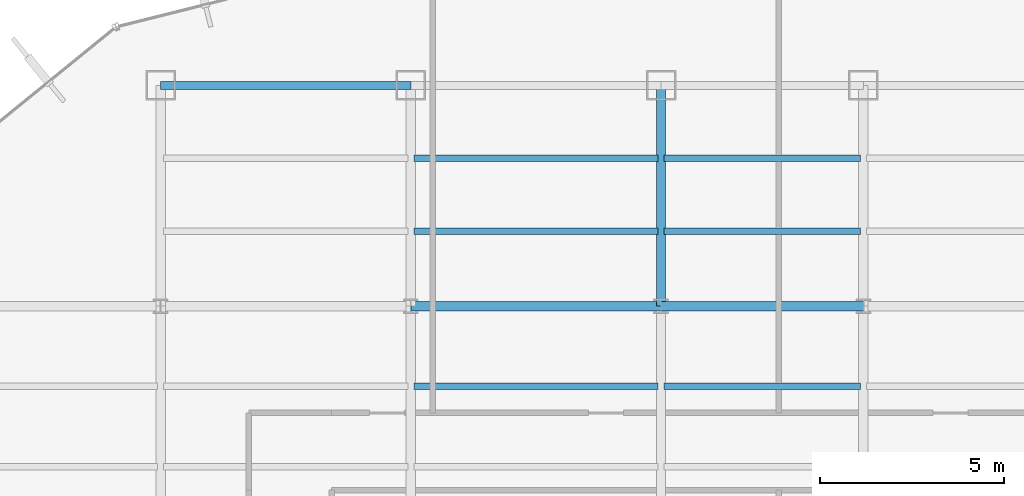
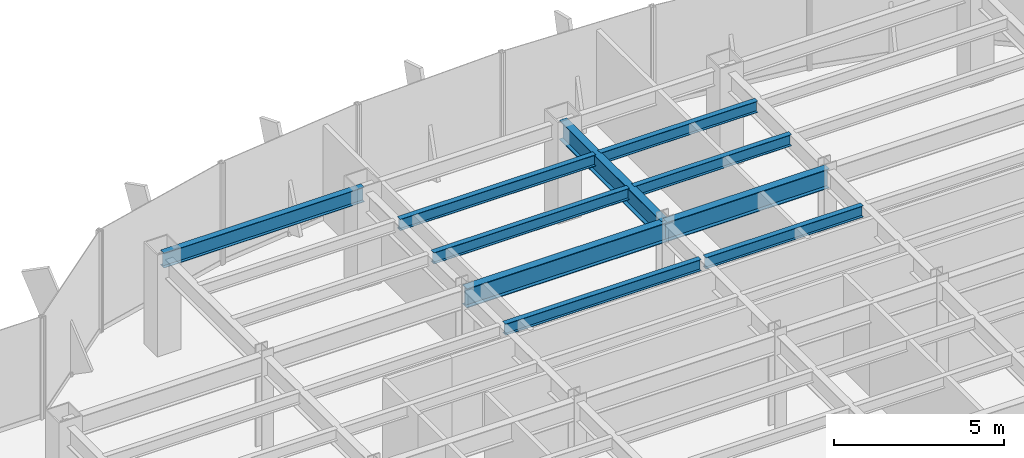
# One storey, part 15 of 26: 10 beams.
"""IFC4 building model written with IfcOpenShell, lengths in metres."""

from ifc_helpers import new_model, si_unit, derived_unit, direction, frame, origin, origin_2d, place, context, subcontext, project, spatial, i_section, extrude, source, transform, mapped, material, material_profile, profile_set, type_object, element, save


model = new_model("IFC4")

# Units and contexts
model_context = context("Model", 3, precision=1e-05, world=origin(), true_north=direction((0.0, 1.0)))
body_context = subcontext(model_context, "Body", "Model", "MODEL_VIEW")
ifc_project = project(units=[si_unit("LENGTHUNIT", "METRE"), si_unit("AREAUNIT", "SQUARE_METRE"), si_unit("VOLUMEUNIT", "CUBIC_METRE"), si_unit("PLANEANGLEUNIT", "RADIAN"), si_unit("MASSUNIT", "GRAM", prefix="KILO"), derived_unit("THERMALTRANSMITTANCEUNIT", [(si_unit("POWERUNIT", "WATT"), 1), (si_unit("LENGTHUNIT", "METRE"), -2), (si_unit("THERMODYNAMICTEMPERATUREUNIT", "KELVIN"), -1)])], contexts=[model_context])

# Site, building, storey
site_placement = place(None, origin())
site = spatial("IfcSite", under=ifc_project, at=site_placement, CompositionType="ELEMENT")
building_placement = place(site_placement, origin())
building = spatial("IfcBuilding", under=site, at=building_placement, Name="Skarnbrae Concourse Arena and Tower", CompositionType="ELEMENT")
storey_placement = place(building_placement, frame((0.0, 0.0, 128.800048828125)))
storey = spatial("IfcBuildingStorey", under=building, at=storey_placement, Name="L32", CompositionType="ELEMENT", Elevation=128.800048828125)

# Beams
ifc_material = material(Name="Steel CSA G40.21 350W", Category="steel")
ifc_material_profile_1 = material_profile(ifc_material, i_section(OverallWidth=0.256103515625, OverallDepth=0.693115234375, WebThickness=0.014404296875, FlangeThickness=0.023681640625, at=origin_2d()), Name="W690X170")
ifc_profile_set_1 = profile_set([ifc_material_profile_1], Name="Steel CSA G40.21 350W")
beam_type_1 = type_object("IfcBeamType", Name="BM-GIRD-W690X170", PredefinedType="BEAM", material=ifc_profile_set_1)
shared_shape_1 = source(origin(), body_context, "Body", "SweptSolid", [
    extrude(i_section(OverallWidth=0.256103515625, OverallDepth=0.693115234375, WebThickness=0.014404296875, FlangeThickness=0.023681640625, at=origin_2d()), origin(), (0.0, 0.0, 1.0), 6.800048828125),
])
beam_1_placement = place(storey_placement, frame((21.199951171875, 34.39990234375, 3.053466796875), z_axis=(1.0, 0.0, 0.0), x_axis=(0.0, 1.0, 0.0)))
element("IfcBeam", 1, at=beam_1_placement, inside=storey, type_object=beam_type_1, Name="L32 Primary E-W girder Y34.4-3", PredefinedType="BEAM", context=body_context, shape_type="MappedRepresentation", body=[
    mapped(shared_shape_1, transform((0.0, 0.0, 0.0))),
])
shared_shape_2 = source(origin(), body_context, "Body", "SweptSolid", [
    extrude(i_section(OverallWidth=0.256103515625, OverallDepth=0.693115234375, WebThickness=0.014404296875, FlangeThickness=0.023681640625, at=origin_2d()), origin(), (0.0, 0.0, 1.0), 5.5),
])
beam_2_placement = place(storey_placement, frame((28.0, 34.39990234375, 3.053466796875), z_axis=(1.0, 0.0, 0.0), x_axis=(0.0, 1.0, 0.0)))
element("IfcBeam", 2, at=beam_2_placement, inside=storey, type_object=beam_type_1, Name="L32 Primary E-W girder Y34.4-4", PredefinedType="BEAM", context=body_context, shape_type="MappedRepresentation", body=[
    mapped(shared_shape_2, transform((0.0, 0.0, 0.0))),
])
ifc_material_profile_2 = material_profile(ifc_material, i_section(OverallWidth=0.208984375, OverallDepth=0.532958984375, WebThickness=0.01025390625, FlangeThickness=0.015625, at=origin_2d()), Name="W530X92")
ifc_profile_set_2 = profile_set([ifc_material_profile_2], Name="Steel CSA G40.21 350W")
beam_type_2 = type_object("IfcBeamType", Name="BM-SPAN-W530X92", PredefinedType="SPANDREL", material=ifc_profile_set_2)
shared_shape_3 = source(origin(), body_context, "Body", "SweptSolid", [
    extrude(i_section(OverallWidth=0.208984375, OverallDepth=0.532958984375, WebThickness=0.01025390625, FlangeThickness=0.015625, at=origin_2d()), origin(), (0.0, 0.0, 1.0), 6.800048828125),
])
beam_3_placement = place(storey_placement, frame((14.39990234375, 40.39990234375, 3.133544921875), z_axis=(1.0, 0.0, 0.0), x_axis=(0.0, 1.0, 0.0)))
element("IfcBeam", 3, at=beam_3_placement, inside=storey, type_object=beam_type_2, Name="L32 Perimeter spandrel Y40.4-1", PredefinedType="SPANDREL", context=body_context, shape_type="MappedRepresentation", body=[
    mapped(shared_shape_3, transform((0.0, 0.0, 0.0))),
])
shared_shape_4 = source(origin(), body_context, "Body", "SweptSolid", [
    extrude(i_section(OverallWidth=0.256103515625, OverallDepth=0.693115234375, WebThickness=0.014404296875, FlangeThickness=0.023681640625, at=origin_2d()), origin(), (0.0, 0.0, 1.0), 6.0),
])
beam_4_placement = place(storey_placement, frame((28.0, 34.39990234375, 3.053466796875), z_axis=(0.0, 1.0, 0.0), x_axis=(-1.0, 0.0, 0.0)))
element("IfcBeam", 4, at=beam_4_placement, inside=storey, type_object=beam_type_1, Name="L32 Primary N-S girder X28.0-4", PredefinedType="BEAM", context=body_context, shape_type="MappedRepresentation", body=[
    mapped(shared_shape_4, transform((0.0, 0.0, 0.0))),
])
ifc_material_profile_3 = material_profile(ifc_material, i_section(OverallWidth=0.177978515625, OverallDepth=0.406982421875, WebThickness=0.0078125, FlangeThickness=0.0126953125, at=origin_2d()), Name="W410X60")
ifc_profile_set_3 = profile_set([ifc_material_profile_3], Name="Steel CSA G40.21 350W")
beam_type_3 = type_object("IfcBeamType", Name="BM-JOIST-W410X60", PredefinedType="JOIST", material=ifc_profile_set_3)
shared_shape_5 = source(origin(), body_context, "Body", "SweptSolid", [
    extrude(i_section(OverallWidth=0.177978515625, OverallDepth=0.406982421875, WebThickness=0.0078125, FlangeThickness=0.0126953125, at=origin_2d()), origin(), (0.0, 0.0, 1.0), 6.639892578125),
])
for number, where, z_axis, x_axis, name in (
    (5, (21.280029296875, 32.221923828125, 3.196533203125), (1.0, 0.0, 0.0), (0.0, 1.0, 0.0), "L32 Secondary floor joist 3.2.3"),
    (6, (21.280029296875, 36.43994140625, 3.196533203125), (1.0, 0.0, 0.0), (0.0, 1.0, 0.0), "L32 Secondary floor joist 4.1.2"),
    (7, (21.280029296875, 38.419921875, 3.196533203125), (1.0, 0.0, 0.0), (0.0, 1.0, 0.0), "L32 Secondary floor joist 4.2.2"),
):
    element("IfcBeam", number, at=place(storey_placement, frame(where, z_axis=z_axis, x_axis=x_axis)), inside=storey, type_object=beam_type_3, Name=name, PredefinedType="JOIST", context=body_context, shape_type="MappedRepresentation", body=[
        mapped(shared_shape_5, transform((0.0, 0.0, 0.0))),
    ])
shared_shape_6 = source(origin(), body_context, "Body", "SweptSolid", [
    extrude(i_section(OverallWidth=0.177978515625, OverallDepth=0.406982421875, WebThickness=0.0078125, FlangeThickness=0.0126953125, at=origin_2d()), origin(), (0.0, 0.0, 1.0), 5.33984375),
])
for number, where, z_axis, x_axis, name in (
    (8, (28.080078125, 32.221923828125, 3.196533203125), (1.0, 0.0, 0.0), (0.0, 1.0, 0.0), "L32 Secondary floor joist 3.2.4"),
    (9, (28.080078125, 36.43994140625, 3.196533203125), (1.0, 0.0, 0.0), (0.0, 1.0, 0.0), "L32 Secondary floor joist 4.1.3"),
    (10, (28.080078125, 38.419921875, 3.196533203125), (1.0, 0.0, 0.0), (0.0, 1.0, 0.0), "L32 Secondary floor joist 4.2.3"),
):
    element("IfcBeam", number, at=place(storey_placement, frame(where, z_axis=z_axis, x_axis=x_axis)), inside=storey, type_object=beam_type_3, Name=name, PredefinedType="JOIST", context=body_context, shape_type="MappedRepresentation", body=[
        mapped(shared_shape_6, transform((0.0, 0.0, 0.0))),
    ])

save(model, "model.ifc")
